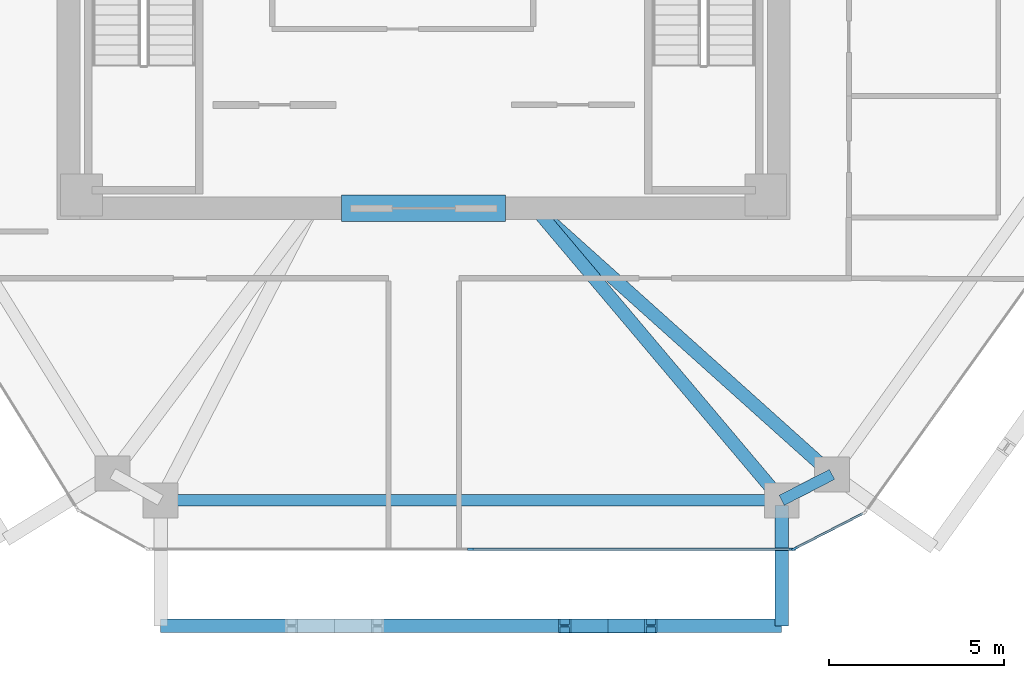
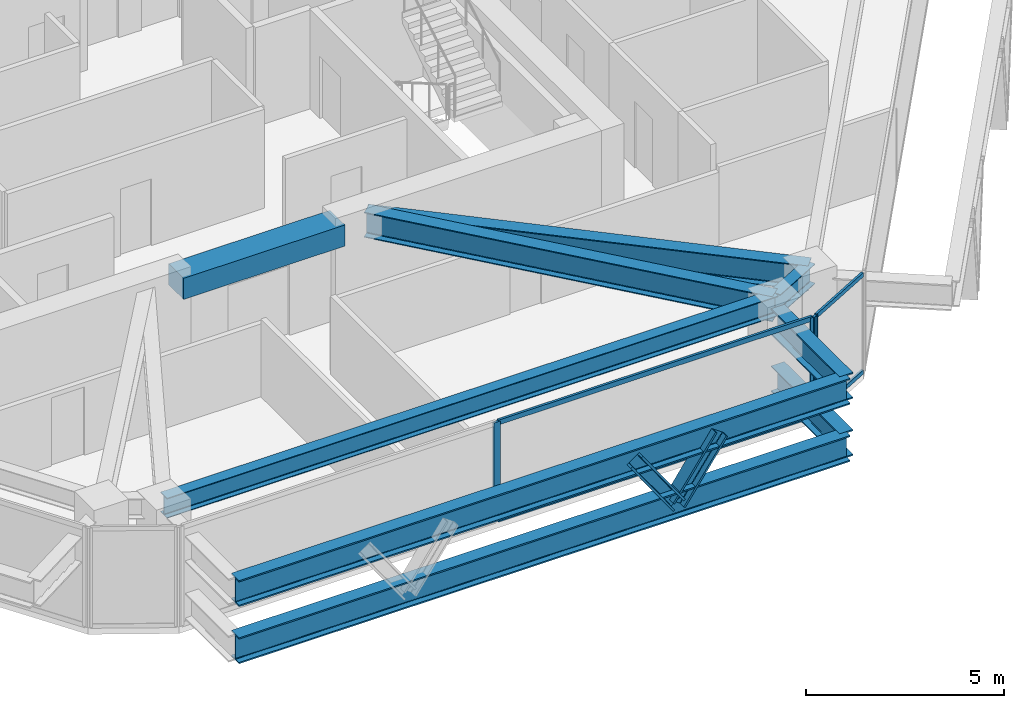
# One storey, part 3 of 11: 9 beams, 9 members, 2 elements without a shape of their own.
"""IFC4 building model written with IfcOpenShell, lengths in metres."""

from ifc_helpers import new_model, si_unit, direction, frame, origin, origin_2d, place, context, subcontext, project, spatial, rectangle, i_section, extrude, source, transform, mapped, material, layer, layer_set, material_profile, profile_set, type_object, type_shapes, element, aggregate, save


model = new_model("IFC4")

# Units and contexts
model_context = context("Model", 3, precision=1e-05, world=origin(), true_north=direction((0.0, 1.0)))
body_context = subcontext(model_context, "Body", "Model", "MODEL_VIEW")
ifc_project = project(units=[si_unit("LENGTHUNIT", "METRE"), si_unit("AREAUNIT", "SQUARE_METRE"), si_unit("VOLUMEUNIT", "CUBIC_METRE"), si_unit("PLANEANGLEUNIT", "RADIAN"), si_unit("MASSUNIT", "GRAM", prefix="KILO")], contexts=[model_context])

# Site, building, storey
site_placement = place(None, origin())
site = spatial("IfcSite", under=ifc_project, at=site_placement, CompositionType="ELEMENT")
building_placement = place(site_placement, origin())
building = spatial("IfcBuilding", under=site, at=building_placement, Name="Durnholm Broadcast Tower", CompositionType="ELEMENT")
storey_placement = place(building_placement, frame((0.0, 0.0, 170.5)))
storey = spatial("IfcBuildingStorey", under=building, at=storey_placement, Name="L46", CompositionType="ELEMENT", Elevation=170.5)

# Beams
ifc_material_1 = material(Name="Concrete C70/85", Category="concrete")
ifc_material_profile_1 = material_profile(ifc_material_1, rectangle(XDim=0.75, YDim=0.64990234375, at=origin_2d()), Name="RC750X650")
ifc_profile_set_1 = profile_set([ifc_material_profile_1], Name="Concrete C70/85")
beam_type_1 = type_object("IfcBeamType", Name="BM-CB-RC650", PredefinedType="LINTEL", material=ifc_profile_set_1)
shared_shape_1 = source(origin(), body_context, "Body", "SweptSolid", [
    extrude(rectangle(XDim=0.75, YDim=0.64990234375, at=origin_2d()), origin(), (0.0, 0.0, 1.0), 4.7001953125),
])
type_shapes(beam_type_1, [shared_shape_1])
beam_1_placement = place(storey_placement, frame((-2.35009765625, -8.175048828125, 2.72998046875), z_axis=(1.0, 0.0, 0.0), x_axis=(0.0, 1.0, 0.0)))
element("IfcBeam", 1, at=beam_1_placement, inside=storey, type_object=beam_type_1, Name="L46 south core coupling lintel beam CB-S", PredefinedType="LINTEL", context=body_context, shape_type="MappedRepresentation", body=[
    mapped(shared_shape_1, transform((0.0, 0.0, 0.0), x_axis=(1.0, 0.0, 0.0), y_axis=(0.0, 1.0, 0.0), z_axis=(0.0, 0.0, 1.0), scale=1.0)),
])
ifc_material_2 = material(Name="Steel ASTM A992 Grade 50", Category="steel")
ifc_material_profile_2 = material_profile(ifc_material_2, i_section(OverallWidth=0.385009765625, OverallDepth=0.802978515625, WebThickness=0.023681640625, FlangeThickness=0.0419921875, FilletRadius=0.032958984375, at=origin_2d()), Name="W30X261")
ifc_profile_set_2 = profile_set([ifc_material_profile_2], Name="Steel ASTM A992 Grade 50")
beam_type_2 = type_object("IfcBeamType", Name="BM-EXO-TIE", PredefinedType="USERDEFINED", material=ifc_profile_set_2)
shared_shape_2 = source(origin(), body_context, "Body", "SweptSolid", [
    extrude(i_section(OverallWidth=0.385009765625, OverallDepth=0.802978515625, WebThickness=0.023681640625, FlangeThickness=0.0419921875, FilletRadius=0.032958984375, at=origin_2d()), origin(), (0.0, 0.0, 1.0), 3.4560546875),
])
for number, where, z_axis, x_axis, name in (
    (2, (10.256591796875, -16.68603515625, 0.550048828125), (0.0, -1.0, 0.0), (1.0, 0.0, 0.0), "L46 zone-base exoskeleton stand-off tie bracket F1.2"),
    (3, (10.256591796875, -16.68603515625, 2.30859375), (0.0, -1.0, 0.0), (1.0, 0.0, 0.0), "L46 exoskeleton stand-off tie bracket F1.2"),
):
    element("IfcBeam", number, at=place(storey_placement, frame(where, z_axis=z_axis, x_axis=x_axis)), inside=storey, type_object=beam_type_2, Name=name, ObjectType="GIRDER", PredefinedType="USERDEFINED", context=body_context, shape_type="MappedRepresentation", body=[
        mapped(shared_shape_2, transform((0.0, 0.0, 0.0), x_axis=(1.0, 0.0, 0.0), y_axis=(0.0, 1.0, 0.0), z_axis=(0.0, 0.0, 1.0), scale=1.0)),
    ])
ifc_material_profile_3 = material_profile(ifc_material_2, i_section(OverallWidth=0.3251953125, OverallDepth=0.6162109375, WebThickness=0.013916015625, FlangeThickness=0.021484375, FilletRadius=0.02783203125, at=origin_2d()), Name="W24X117")
ifc_profile_set_3 = profile_set([ifc_material_profile_3], Name="Steel ASTM A992 Grade 50")
beam_type_3 = type_object("IfcBeamType", Name="STL-SP-W24X117", PredefinedType="SPANDREL", material=ifc_profile_set_3)
shared_shape_3 = source(origin(), body_context, "Body", "SweptSolid", [
    extrude(i_section(OverallWidth=0.3251953125, OverallDepth=0.6162109375, WebThickness=0.013916015625, FlangeThickness=0.021484375, FilletRadius=0.02783203125, at=origin_2d()), origin(), (0.0, 0.0, 1.0), 1.62255859375),
])
beam_2_placement = place(storey_placement, frame((11.69970703125, -15.80029296875, 2.73681640625), z_axis=(-0.889406668864, -0.45711680934, 0.0), x_axis=(0.45711680934, -0.889406668864, 0.0)))
element("IfcBeam", 4, at=beam_2_placement, inside=storey, type_object=beam_type_3, Name="L46 perimeter spandrel girder 10", PredefinedType="SPANDREL", context=body_context, shape_type="MappedRepresentation", body=[
    mapped(shared_shape_3, transform((0.0, 0.0, 0.0), x_axis=(1.0, 0.0, 0.0), y_axis=(0.0, 1.0, 0.0), z_axis=(0.0, 0.0, 1.0), scale=1.0)),
])
shared_shape_4 = source(origin(), body_context, "Body", "SweptSolid", [
    extrude(i_section(OverallWidth=0.3251953125, OverallDepth=0.6162109375, WebThickness=0.013916015625, FlangeThickness=0.021484375, FilletRadius=0.02783203125, at=origin_2d()), origin(), (0.0, 0.0, 1.0), 17.796142578125),
])
type_shapes(beam_type_3, [shared_shape_3, shared_shape_4])
beam_3_placement = place(storey_placement, frame((10.256591796875, -16.5419921875, 2.73681640625), z_axis=(-1.0, 0.0, 0.0), x_axis=(0.0, -1.0, 0.0)))
element("IfcBeam", 5, at=beam_3_placement, inside=storey, type_object=beam_type_3, Name="L46 perimeter spandrel girder 11", PredefinedType="SPANDREL", context=body_context, shape_type="MappedRepresentation", body=[
    mapped(shared_shape_4, transform((0.0, 0.0, 0.0), x_axis=(1.0, 0.0, 0.0), y_axis=(0.0, 1.0, 0.0), z_axis=(0.0, 0.0, 1.0), scale=1.0)),
])
shared_shape_5 = source(origin(), body_context, "Body", "SweptSolid", [
    extrude(i_section(OverallWidth=0.385009765625, OverallDepth=0.802978515625, WebThickness=0.023681640625, FlangeThickness=0.0419921875, FilletRadius=0.032958984375, at=origin_2d()), origin(), (0.0, 0.0, 1.0), 17.796142578125),
])
type_shapes(beam_type_2, [shared_shape_2, shared_shape_5])
for number, where, z_axis, x_axis, name in (
    (6, (-7.53955078125, -20.14208984375, 0.550048828125), (1.0, 0.0, 0.0), (0.0, 1.0, 0.0), "L46 zone-base exoskeleton collector spandrel F1"),
    (7, (-7.53955078125, -20.14208984375, 2.30859375), (1.0, 0.0, 0.0), (0.0, 1.0, 0.0), "L46 exoskeleton collector spandrel F1"),
):
    element("IfcBeam", number, at=place(storey_placement, frame(where, z_axis=z_axis, x_axis=x_axis)), inside=storey, type_object=beam_type_2, Name=name, PredefinedType="SPANDREL", context=body_context, shape_type="MappedRepresentation", body=[
        mapped(shared_shape_5, transform((0.0, 0.0, 0.0), x_axis=(1.0, 0.0, 0.0), y_axis=(0.0, 1.0, 0.0), z_axis=(0.0, 0.0, 1.0), scale=1.0)),
    ])
ifc_material_profile_4 = material_profile(ifc_material_2, i_section(OverallWidth=0.380615234375, OverallDepth=0.773193359375, WebThickness=0.0166015625, FlangeThickness=0.027099609375, FilletRadius=0.032958984375, at=origin_2d()), Name="W30X173")
ifc_profile_set_4 = profile_set([ifc_material_profile_4], Name="Steel ASTM A992 Grade 50")
beam_type_4 = type_object("IfcBeamType", Name="STL-GR-W30X173", PredefinedType="USERDEFINED", material=ifc_profile_set_4)
shared_shape_6 = source(origin(), body_context, "Body", "SweptSolid", [
    extrude(i_section(OverallWidth=0.380615234375, OverallDepth=0.773193359375, WebThickness=0.0166015625, FlangeThickness=0.027099609375, FilletRadius=0.032958984375, at=origin_2d()), origin(), (0.0, 0.0, 1.0), 11.4189453125),
])
beam_4_placement = place(storey_placement, frame((3.199951171875, -8.175048828125, 2.658447265625), z_axis=(0.744361631918, -0.667776729849, 0.0), x_axis=(0.667776729849, 0.744361631918, 0.0)))
element("IfcBeam", 8, at=beam_4_placement, inside=storey, type_object=beam_type_4, Name="L46 radial primary floor girder 10", ObjectType="GIRDER", PredefinedType="USERDEFINED", context=body_context, shape_type="MappedRepresentation", body=[
    mapped(shared_shape_6, transform((0.0, 0.0, 0.0), x_axis=(1.0, 0.0, 0.0), y_axis=(0.0, 1.0, 0.0), z_axis=(0.0, 0.0, 1.0), scale=1.0)),
])
shared_shape_7 = source(origin(), body_context, "Body", "SweptSolid", [
    extrude(i_section(OverallWidth=0.380615234375, OverallDepth=0.773193359375, WebThickness=0.0166015625, FlangeThickness=0.027099609375, FilletRadius=0.032958984375, at=origin_2d()), origin(), (0.0, 0.0, 1.0), 10.9453125),
])
type_shapes(beam_type_4, [shared_shape_6, shared_shape_7])
beam_5_placement = place(storey_placement, frame((3.199951171875, -8.175048828125, 2.658447265625), z_axis=(0.644712536066, -0.764425108065, 0.0), x_axis=(0.764425108065, 0.644712536066, 0.0)))
element("IfcBeam", 9, at=beam_5_placement, inside=storey, type_object=beam_type_4, Name="L46 radial primary floor girder 11", ObjectType="GIRDER", PredefinedType="USERDEFINED", context=body_context, shape_type="MappedRepresentation", body=[
    mapped(shared_shape_7, transform((0.0, 0.0, 0.0), x_axis=(1.0, 0.0, 0.0), y_axis=(0.0, 1.0, 0.0), z_axis=(0.0, 0.0, 1.0), scale=1.0)),
])

# Members
ifc_material_3 = material(Name="Steel ASTM A913 Grade 65", Category="steel")
ifc_material_profile_5 = material_profile(ifc_material_3, i_section(OverallWidth=0.412109375, OverallDepth=0.434814453125, WebThickness=0.035888671875, FlangeThickness=0.057373046875, FilletRadius=0.030517578125, at=origin_2d()), Name="W14X311")
ifc_profile_set_5 = profile_set([ifc_material_profile_5], Name="Steel ASTM A913 Grade 65")
member_type_1 = type_object("IfcMemberType", Name="STL-DG-W14X311", PredefinedType="BRACE", material=ifc_profile_set_5)
shared_shape_8 = source(origin(), body_context, "Body", "SweptSolid", [
    extrude(i_section(OverallWidth=0.412109375, OverallDepth=0.434814453125, WebThickness=0.035888671875, FlangeThickness=0.057373046875, FilletRadius=0.030517578125, at=origin_2d()), origin(), (0.0, 0.0, 1.0), 2.148193359375),
])
type_shapes(member_type_1, [shared_shape_8])
for number, where, z_axis, x_axis, name in (
    (10, (5.273681640625, -20.14208984375, 0.550048828125), (-0.574369639306, 0.0, 0.818596064884), (0.0, -1.0, 0.0), "L46 stand-off diagrid brace F1.D2.1"),
    (11, (5.273681640625, -20.14208984375, 0.550048828125), (0.574369639306, 0.0, 0.818596064884), (0.0, 1.0, 0.0), "L46 stand-off diagrid brace F1.D2.2"),
):
    element("IfcMember", number, at=place(storey_placement, frame(where, z_axis=z_axis, x_axis=x_axis)), inside=storey, type_object=member_type_1, Name=name, PredefinedType="BRACE", context=body_context, shape_type="MappedRepresentation", body=[
        mapped(shared_shape_8, transform((0.0, 0.0, 0.0), x_axis=(1.0, 0.0, 0.0), y_axis=(0.0, 1.0, 0.0), z_axis=(0.0, 0.0, 1.0), scale=1.0)),
    ])

# Curtain wall, members
ifc_material_4 = material(Name="Aluminium and Solar Control IGU", Category="aluminium")
ifc_layer_1 = layer(ifc_material_4, 0.1650390625)
ifc_layer_set_1 = layer_set([ifc_layer_1], Name="Aluminium and Solar Control IGU")
curtain_wall_type_1 = type_object("IfcCurtainWallType", Name="CW-SYS-5", PredefinedType="NOTDEFINED", material=ifc_layer_set_1)
curtain_wall_1_placement = place(storey_placement, origin())
curtain_wall_1 = element("IfcCurtainWall", 12, at=curtain_wall_1_placement, inside=storey, type_object=curtain_wall_type_1, Name="L46 curtain wall CW-CORNER CW-L46-CRN-09", PredefinedType="NOTDEFINED")
ifc_material_5 = material(Name="Aluminium 6063-T6", Category="aluminium")
ifc_material_profile_6 = material_profile(ifc_material_5, rectangle(XDim=0.06494140625, YDim=0.1650390625, at=origin_2d()), Name="CWM65X165")
ifc_profile_set_6 = profile_set([ifc_material_profile_6], Name="Aluminium 6063-T6")
member_type_2 = type_object("IfcMemberType", Name="CW-SYS-5-MUL", PredefinedType="MULLION", material=ifc_profile_set_6)
shared_shape_9 = source(origin(), body_context, "Body", "SweptSolid", [
    extrude(rectangle(XDim=0.06494140625, YDim=0.1650390625, at=origin_2d()), origin(), (0.0, 0.0, 1.0), 3.06005859375),
])
type_shapes(member_type_2, [shared_shape_9])
member_1_placement = place(storey_placement, frame((10.624267578125, -17.92724609375, 0.0), z_axis=(0.0, 0.0, 1.0), x_axis=(0.457081764476, -0.889424679545, 0.0)))
member_1 = element("IfcMember", 13, at=member_1_placement, type_object=member_type_2, Name="CW-CORNER mullion 2", PredefinedType="MULLION", context=body_context, shape_type="MappedRepresentation", body=[
    mapped(shared_shape_9, transform((0.0, 0.0, 0.0), x_axis=(1.0, 0.0, 0.0), y_axis=(0.0, 1.0, 0.0), z_axis=(0.0, 0.0, 1.0), scale=1.0)),
])
ifc_material_profile_7 = material_profile(ifc_material_5, rectangle(XDim=0.06494140625, YDim=0.1298828125, at=origin_2d()), Name="CWT65X130")
ifc_profile_set_7 = profile_set([ifc_material_profile_7], Name="Aluminium 6063-T6")
member_type_3 = type_object("IfcMemberType", Name="CW-SYS-5-TRN", PredefinedType="USERDEFINED", material=ifc_profile_set_7)
shared_shape_10 = source(origin(), body_context, "Body", "SweptSolid", [
    extrude(rectangle(XDim=0.06494140625, YDim=0.1298828125, at=origin_2d()), origin(), (0.0, 0.0, 1.0), 2.170166015625),
])
type_shapes(member_type_3, [shared_shape_10])
member_2_placement = place(storey_placement, frame((12.583251953125, -16.92041015625, 0.032470703125), z_axis=(-0.889422414772, -0.457086171417, 0.0), x_axis=(0.457086171417, -0.889422414772, 0.0)))
member_2 = element("IfcMember", 14, at=member_2_placement, type_object=member_type_3, Name="CW-CORNER transom 1.1", ObjectType="TRANSOM", PredefinedType="USERDEFINED", context=body_context, shape_type="MappedRepresentation", body=[
    mapped(shared_shape_10, transform((0.0, 0.0, 0.0), x_axis=(1.0, 0.0, 0.0), y_axis=(0.0, 1.0, 0.0), z_axis=(0.0, 0.0, 1.0), scale=1.0)),
])
member_3_placement = place(storey_placement, frame((12.583251953125, -16.92041015625, 3.027587890625), z_axis=(-0.889422414772, -0.457086171417, 0.0), x_axis=(0.457086171417, -0.889422414772, 0.0)))
member_3 = element("IfcMember", 15, at=member_3_placement, type_object=member_type_3, Name="CW-CORNER transom 1.2", ObjectType="TRANSOM", PredefinedType="USERDEFINED", context=body_context, shape_type="MappedRepresentation", body=[
    mapped(shared_shape_10, transform((0.0, 0.0, 0.0), x_axis=(1.0, 0.0, 0.0), y_axis=(0.0, 1.0, 0.0), z_axis=(0.0, 0.0, 1.0), scale=1.0)),
])
aggregate(curtain_wall_1, [member_1, member_2, member_3])

ifc_layer_2 = layer(ifc_material_4, 0.18994140625)
ifc_layer_set_2 = layer_set([ifc_layer_2], Name="Aluminium and Solar Control IGU")
curtain_wall_type_2 = type_object("IfcCurtainWallType", Name="CW-SYS-4", PredefinedType="NOTDEFINED", material=ifc_layer_set_2)
curtain_wall_2_placement = place(storey_placement, origin())
curtain_wall_2 = element("IfcCurtainWall", 16, at=curtain_wall_2_placement, inside=storey, type_object=curtain_wall_type_2, Name="L46 curtain wall CW-Z34-VIS CW-L46-F10", PredefinedType="NOTDEFINED")
ifc_material_profile_8 = material_profile(ifc_material_5, rectangle(XDim=0.070068359375, YDim=0.14990234375, at=origin_2d()), Name="CWT70X150")
ifc_profile_set_8 = profile_set([ifc_material_profile_8], Name="Aluminium 6063-T6")
member_type_4 = type_object("IfcMemberType", Name="CW-SYS-4-TRN", PredefinedType="USERDEFINED", material=ifc_profile_set_8)
shared_shape_11 = source(origin(), body_context, "Body", "SweptSolid", [
    extrude(rectangle(XDim=0.070068359375, YDim=0.14990234375, at=origin_2d()), origin(), (0.0, 0.0, 1.0), 9.14453125),
])
type_shapes(member_type_4, [shared_shape_11])
member_4_placement = place(storey_placement, frame((10.525390625, -17.94189453125, 0.034912109375), z_axis=(-1.0, 0.0, 0.0), x_axis=(0.0, -1.0, 0.0)))
member_4 = element("IfcMember", 17, at=member_4_placement, type_object=member_type_4, Name="CW-Z34-VIS transom 1.1", ObjectType="TRANSOM", PredefinedType="USERDEFINED", context=body_context, shape_type="MappedRepresentation", body=[
    mapped(shared_shape_11, transform((0.0, 0.0, 0.0), x_axis=(1.0, 0.0, 0.0), y_axis=(0.0, 1.0, 0.0), z_axis=(0.0, 0.0, 1.0), scale=1.0)),
])
member_5_placement = place(storey_placement, frame((10.525390625, -17.94189453125, 3.02490234375), z_axis=(-1.0, 0.0, 0.0), x_axis=(0.0, -1.0, 0.0)))
member_5 = element("IfcMember", 18, at=member_5_placement, type_object=member_type_4, Name="CW-Z34-VIS transom 1.2", ObjectType="TRANSOM", PredefinedType="USERDEFINED", context=body_context, shape_type="MappedRepresentation", body=[
    mapped(shared_shape_11, transform((0.0, 0.0, 0.0), x_axis=(1.0, 0.0, 0.0), y_axis=(0.0, 1.0, 0.0), z_axis=(0.0, 0.0, 1.0), scale=1.0)),
])
ifc_material_profile_9 = material_profile(ifc_material_5, rectangle(XDim=0.070068359375, YDim=0.18994140625, at=origin_2d()), Name="CWM70X190")
ifc_profile_set_9 = profile_set([ifc_material_profile_9], Name="Aluminium 6063-T6")
member_type_5 = type_object("IfcMemberType", Name="CW-SYS-4-MUL", PredefinedType="MULLION", material=ifc_profile_set_9)
shared_shape_12 = source(origin(), body_context, "Body", "SweptSolid", [
    extrude(rectangle(XDim=0.070068359375, YDim=0.18994140625, at=origin_2d()), origin(), (0.0, 0.0, 1.0), 3.06005859375),
])
type_shapes(member_type_5, [shared_shape_12])
member_6_placement = place(storey_placement, frame((10.560302734375, -17.94189453125, 0.0), z_axis=(0.0, 0.0, 1.0), x_axis=(0.0, -1.0, 0.0)))
member_6 = element("IfcMember", 19, at=member_6_placement, type_object=member_type_5, Name="CW-Z34-VIS mullion 1", PredefinedType="MULLION", context=body_context, shape_type="MappedRepresentation", body=[
    mapped(shared_shape_12, transform((0.0, 0.0, 0.0), x_axis=(1.0, 0.0, 0.0), y_axis=(0.0, 1.0, 0.0), z_axis=(0.0, 0.0, 1.0), scale=1.0)),
])
member_7_placement = place(storey_placement, frame((1.345947265625, -17.94189453125, 0.0), z_axis=(0.0, 0.0, 1.0), x_axis=(0.0, -1.0, 0.0)))
member_7 = element("IfcMember", 20, at=member_7_placement, type_object=member_type_5, Name="CW-Z34-VIS mullion 2", PredefinedType="MULLION", context=body_context, shape_type="MappedRepresentation", body=[
    mapped(shared_shape_12, transform((0.0, 0.0, 0.0), x_axis=(1.0, 0.0, 0.0), y_axis=(0.0, 1.0, 0.0), z_axis=(0.0, 0.0, 1.0), scale=1.0)),
])
aggregate(curtain_wall_2, [member_6, member_7, member_4, member_5])

save(model, "model.ifc")
